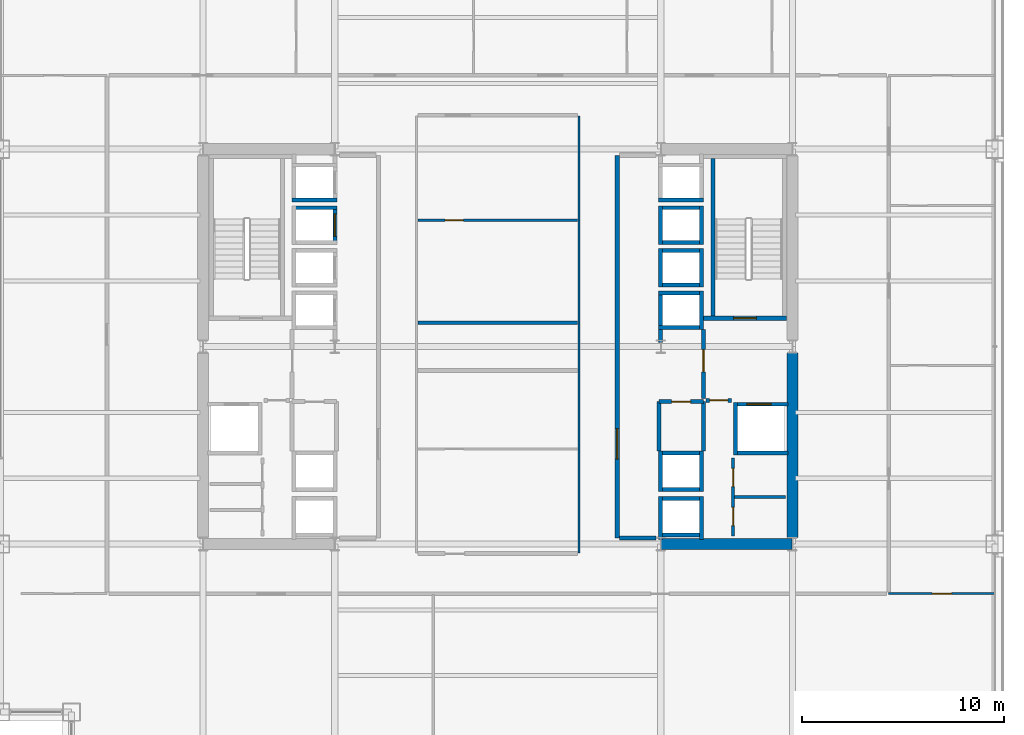
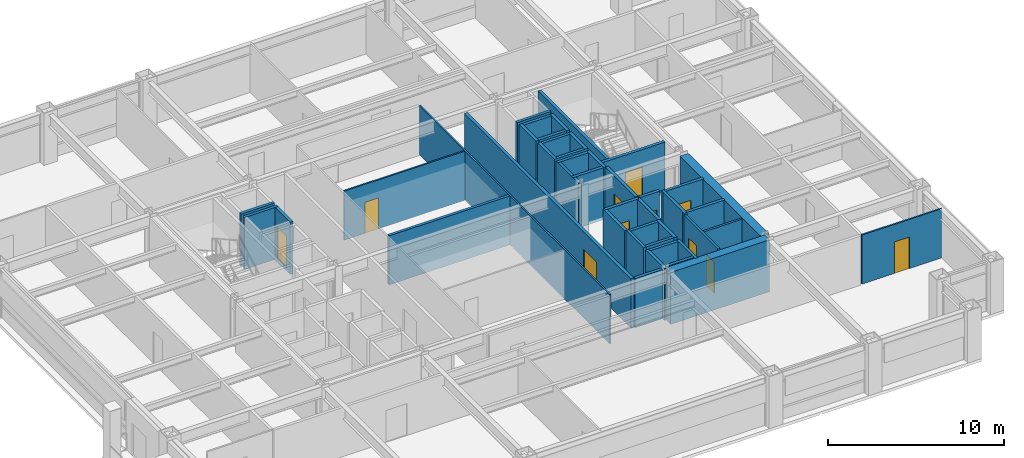
# One storey, part 24 of 28: 44 walls, 11 doors, 11 openings.
"""IFC4 building model written with IfcOpenShell, lengths in metres."""

import ifcopenshell
import ifcopenshell.guid

model = None  # the IFC model being written
_history = None  # IfcOwnerHistory: only IFC2X3 demands one
_inside = {}  # id of a spatial element -> (the spatial element, [elements in it])
_under = {}  # id of a project, library or spatial element -> (it, [spatial elements below it])
_declared = {}  # id of a project -> (the project, [libraries it declares])
_typed = {}  # id of a type object -> (the type object, [elements of that type])
_made_of = {}  # id of a material, layer set ... -> (it, [elements and type objects made of it])


def new_model(schema):
    """Start an empty IFC model of exactly this schema.

    Asked for "IFC4X3", IfcOpenShell would pick the latest addendum, in which some entities
    have other attributes; the version numbers below select the first issue.
    IFC2X3 requires an IfcOwnerHistory on every rooted entity: one is made here for all.
    """
    global model, _history
    if schema == "IFC4X3":
        model = ifcopenshell.file(schema_version=(4, 3, 0, 0))
    else:
        model = ifcopenshell.file(schema=schema)
    _inside.clear()
    _under.clear()
    _declared.clear()
    _typed.clear()
    _made_of.clear()
    _history = None
    if model.schema == "IFC2X3":
        org = make("IfcOrganization", Name="unknown")
        user = make(
            "IfcPersonAndOrganization",
            ThePerson=make("IfcPerson", FamilyName="unknown"),
            TheOrganization=org,
        )
        app = make(
            "IfcApplication",
            ApplicationDeveloper=org,
            Version="unknown",
            ApplicationFullName="unknown",
            ApplicationIdentifier="unknown",
        )
        _history = make(
            "IfcOwnerHistory",
            OwningUser=user,
            OwningApplication=app,
            ChangeAction="ADDED",
            CreationDate=0,
        )
    return model


def make(cls, **values):
    """One entity of the class cls with the attributes given. An attribute that is None is left unset."""
    return model.create_entity(
        cls, **{name: value for name, value in values.items() if value is not None}
    )


def rooted(cls, **values):
    """An entity with a GlobalId (a new one), such as an element, a storey or a relation."""
    return make(cls, GlobalId=ifcopenshell.guid.new(), OwnerHistory=_history, **values)


def si_unit(unit_type, name, prefix=None):
    """IfcSIUnit, for example si_unit("LENGTHUNIT", "METRE", prefix="MILLI")."""
    return make("IfcSIUnit", UnitType=unit_type, Prefix=prefix, Name=name)


def assignment(units):
    """IfcUnitAssignment: the units of a project."""
    return None if units is None else make("IfcUnitAssignment", Units=units)


def point(xyz):
    """IfcCartesianPoint."""
    return None if xyz is None else make("IfcCartesianPoint", Coordinates=xyz)


def direction(xyz):
    """IfcDirection."""
    return None if xyz is None else make("IfcDirection", DirectionRatios=xyz)


def frame(location, z_axis=None, x_axis=None):
    """IfcAxis2Placement3D, a coordinate frame: its origin and axes. An axis left out is left unset."""
    return make(
        "IfcAxis2Placement3D",
        Location=point(location),
        Axis=direction(z_axis),
        RefDirection=direction(x_axis),
    )


def frame_2d(location, x_axis=None):
    """IfcAxis2Placement2D, a coordinate frame in the plane: its origin and x axis."""
    return make(
        "IfcAxis2Placement2D", Location=point(location), RefDirection=direction(x_axis)
    )


def origin():
    """The frame at (0, 0, 0) with its axes left unset."""
    return frame((0.0, 0.0, 0.0))


def place(relative_to, where):
    """IfcLocalPlacement: puts the frame where relative to a parent placement (None: the world)."""
    return make(
        "IfcLocalPlacement", PlacementRelTo=relative_to, RelativePlacement=where
    )


def context(
    kind, dimensions, precision=None, world=None, true_north=None, identifier=None
):
    """IfcGeometricRepresentationContext, for example the 3D "Model" context."""
    return make(
        "IfcGeometricRepresentationContext",
        ContextIdentifier=identifier,
        ContextType=kind,
        CoordinateSpaceDimension=dimensions,
        Precision=precision,
        WorldCoordinateSystem=world,
        TrueNorth=true_north,
    )


def subcontext(parent, identifier, kind, view, scale=None):
    """IfcGeometricRepresentationSubContext, for example "Body" below "Model"."""
    return make(
        "IfcGeometricRepresentationSubContext",
        ContextIdentifier=identifier,
        ContextType=kind,
        ParentContext=parent,
        TargetScale=scale,
        TargetView=view,
    )


def project(units=None, contexts=None):
    """IfcProject with its units and contexts."""
    return rooted(
        "IfcProject",
        Name="project",
        RepresentationContexts=contexts,
        UnitsInContext=assignment(units),
    )


def spatial(cls, under=None, at=None, **own):
    """A site, building, storey or space (cls), placed at a placement, below another one or the project."""
    s = rooted(cls, ObjectPlacement=at, **own)
    if under is not None:
        _under.setdefault(under.id(), (under, []))[1].append(s)
    return s


def profile(cls, at=None, kind="AREA", **sizes):
    """A parametric profile (cls). Its sizes go by their IFC names, for example OverallWidth=200.0."""
    return make(cls, ProfileType=kind, Position=at, **sizes)


def rectangle(**sizes):
    """IfcRectangleProfileDef."""
    return profile("IfcRectangleProfileDef", **sizes)


def extrude(swept, where, along, depth):
    """IfcExtrudedAreaSolid: the profile swept, set in the frame where, extruded along a direction by depth."""
    return make(
        "IfcExtrudedAreaSolid",
        SweptArea=swept,
        Position=where,
        ExtrudedDirection=direction(along),
        Depth=depth,
    )


def shape(context_of_items, identifier, shape_type, items):
    """IfcShapeRepresentation: the items that make up one representation, for example the "Body"."""
    return make(
        "IfcShapeRepresentation",
        ContextOfItems=context_of_items,
        RepresentationIdentifier=identifier,
        RepresentationType=shape_type,
        Items=items,
    )


def material(Name=None, Category=None):
    """IfcMaterial."""
    return make("IfcMaterial", Name=Name, Category=Category)


def layer(
    of_material, thickness, ventilated=None, Name=None, Category=None, Priority=None
):
    """IfcMaterialLayer: one layer of a wall or slab, of a material (None: an air gap)."""
    return make(
        "IfcMaterialLayer",
        Material=of_material,
        LayerThickness=thickness,
        IsVentilated=ventilated,
        Name=Name,
        Category=Category,
        Priority=Priority,
    )


def layer_set(layers, Name=None):
    """IfcMaterialLayerSet."""
    return make("IfcMaterialLayerSet", MaterialLayers=layers, LayerSetName=Name)


def made_of(thing, what):
    """Note that an element or type object is made of a material, layer set ...; save() writes the relation."""
    if what is not None:
        _made_of.setdefault(what.id(), (what, []))[1].append(thing)
    return thing


def type_object(cls, material=None, **own):
    """A type object (cls), such as IfcWallType, which elements share."""
    return made_of(rooted(cls, **own), material)


def element(
    cls,
    number,
    at=None,
    inside=None,
    cuts=None,
    type_object=None,
    material=None,
    context=None,
    identifier="Body",
    shape_type=None,
    held_by="IfcProductDefinitionShape",
    body=None,
    shapes=None,
    **own,
):
    """One element of the class cls, such as IfcWall. Its Tag is "e" and its number.

    at: its placement. inside: the storey or other place that contains it. cuts: it is an
    opening in that element (IfcRelVoidsElement). A single representation is given by context,
    identifier, shape_type and body (its items); several are given by shapes. held_by: the class
    of the entity that holds the representations. save() writes the other relations.
    """
    e = rooted(cls, Tag="e%d" % number, ObjectPlacement=at, **own)
    if body is not None:
        shapes = [shape(context, identifier, shape_type, body)]
    if shapes is not None:
        e.Representation = make(held_by, Representations=shapes)
    if inside is not None:
        _inside.setdefault(inside.id(), (inside, []))[1].append(e)
    if cuts is not None:
        rooted(
            "IfcRelVoidsElement", RelatingBuildingElement=cuts, RelatedOpeningElement=e
        )
    if type_object is not None:
        _typed.setdefault(type_object.id(), (type_object, []))[1].append(e)
    return made_of(e, material)


def fill(opening, filler):
    """IfcRelFillsElement: the door or window that sits in an opening."""
    return rooted(
        "IfcRelFillsElement",
        RelatingOpeningElement=opening,
        RelatedBuildingElement=filler,
    )


def aggregate(whole, parts):
    """IfcRelAggregates: a whole, such as a stair, and the parts it consists of."""
    return rooted("IfcRelAggregates", RelatingObject=whole, RelatedObjects=parts)


def save(model, path):
    """Write the relations noted so far, then the file.

    IfcRelAggregates (storeys below a building ...), IfcRelContainedInSpatialStructure (elements
    in a storey), IfcRelDefinesByType, IfcRelAssociatesMaterial and IfcRelDeclares: one each for
    every whole, place, type object, material and project.
    """
    for whole, parts in _under.values():
        aggregate(whole, parts)
    for where, things in _inside.values():
        rooted(
            "IfcRelContainedInSpatialStructure",
            RelatedElements=things,
            RelatingStructure=where,
        )
    for kind, things in _typed.values():
        rooted("IfcRelDefinesByType", RelatedObjects=things, RelatingType=kind)
    for what, things in _made_of.values():
        rooted("IfcRelAssociatesMaterial", RelatedObjects=things, RelatingMaterial=what)
    for by, libraries in _declared.values():
        rooted("IfcRelDeclares", RelatingContext=by, RelatedDefinitions=libraries)
    model.write(path)


model = new_model("IFC4")

# Units and contexts
model_context = context("Model", 3, precision=1e-05, world=origin(), true_north=direction((0.0, 1.0)))
body_context = subcontext(model_context, "Body", "Model", "MODEL_VIEW")
ifc_project = project(units=[si_unit("LENGTHUNIT", "METRE"), si_unit("AREAUNIT", "SQUARE_METRE"), si_unit("VOLUMEUNIT", "CUBIC_METRE"), si_unit("PLANEANGLEUNIT", "RADIAN"), si_unit("MASSUNIT", "GRAM", prefix="KILO")], contexts=[model_context])

# Site, building, storey
site_placement = place(None, origin())
site = spatial("IfcSite", under=ifc_project, at=site_placement, CompositionType="ELEMENT")
building_placement = place(site_placement, origin())
building = spatial("IfcBuilding", under=site, at=building_placement, Name="Brelmoor Portico Tower", CompositionType="ELEMENT")
storey_placement = place(building_placement, frame((0.0, 0.0, 70.800048828125)))
storey = spatial("IfcBuildingStorey", under=building, at=storey_placement, Name="L18", CompositionType="ELEMENT", Elevation=70.800048828125)

# Walls
ifc_material_1 = material(Name="Concrete C60", Category="concrete")
ifc_layer_1 = layer(ifc_material_1, 0.550048828125)
ifc_layer_set_1 = layer_set([ifc_layer_1], Name="Concrete C60")
wall_type_1 = type_object("IfcWallType", Name="WL-CORE-550", PredefinedType="SHEAR", material=ifc_layer_set_1)
wall_1_placement = place(storey_placement, frame((8.070068359375, -9.75, -0.199951171875), z_axis=(0.0, 0.0, 1.0), x_axis=(1.0, 0.0, 0.0)))
element("IfcWall", 1, at=wall_1_placement, inside=storey, type_object=wall_type_1, Name="L18 EC South Shear Wall", PredefinedType="SHEAR", context=body_context, shape_type="SweptSolid", body=[
    extrude(rectangle(XDim=6.4599609375, YDim=0.550048828125, at=frame_2d((3.22998046875, 0.0))), origin(), (0.0, 0.0, 1.0), 3.599853515625),
])
wall_2_placement = place(storey_placement, frame((14.550048828125, -9.425048828125, -0.199951171875), z_axis=(0.0, 0.0, 1.0), x_axis=(0.0, 1.0, 0.0)))
element("IfcWall", 2, at=wall_2_placement, inside=storey, type_object=wall_type_1, Name="L18 EC Outer South Shear Wall", PredefinedType="SHEAR", context=body_context, shape_type="SweptSolid", body=[
    extrude(rectangle(XDim=9.10009765625, YDim=0.550048828125, at=frame_2d((4.550048828125, 0.0))), origin(), (0.0, 0.0, 1.0), 3.599853515625),
])
ifc_material_2 = material(Name="Demountable Glazed Office Partition", Category="aluminium")
ifc_layer_2 = layer(ifc_material_2, 0.10009765625)
ifc_layer_set_2 = layer_set([ifc_layer_2], Name="Demountable Glazed Office Partition")
wall_type_2 = type_object("IfcWallType", Name="WL-PART-100", PredefinedType="PARTITIONING", material=ifc_layer_set_2)
wall_3_placement = place(storey_placement, frame((4.02001953125, -10.199951171875, 0.0), z_axis=(0.0, 0.0, 1.0), x_axis=(0.0, 1.0, 0.0)))
element("IfcWall", 3, at=wall_3_placement, inside=storey, type_object=wall_type_2, Name="L18 Central Suite East Wall", PredefinedType="PARTITIONING", context=body_context, shape_type="SweptSolid", body=[
    extrude(rectangle(XDim=21.599853515625, YDim=0.10009765625, at=frame_2d((10.7998046875, 0.0))), origin(), (0.0, 0.0, 1.0), 3.39990234375),
])

# Wall, opening, door
wall_4_placement = place(storey_placement, frame((-3.949951171875, 6.239990234375, 0.0), z_axis=(0.0, 0.0, 1.0), x_axis=(1.0, 0.0, 0.0)))
wall_4 = element("IfcWall", 4, at=wall_4_placement, inside=storey, type_object=wall_type_2, Name="L18 Central Archive Divider", PredefinedType="PARTITIONING", context=body_context, shape_type="SweptSolid", body=[
    extrude(rectangle(XDim=7.89990234375, YDim=0.10009765625, at=frame_2d((3.949951171875, 0.0))), origin(), (0.0, 0.0, 1.0), 3.39990234375),
])
opening_1_placement = place(wall_4_placement, frame((1.35009765625, 0.0, 0.0)))
opening_1 = element("IfcOpeningElement", 5, at=opening_1_placement, cuts=wall_4, Name="Opening D-IN1", PredefinedType="OPENING", context=body_context, shape_type="SweptSolid", body=[
    extrude(rectangle(XDim=0.89990234375, YDim=2.14990234375, at=frame_2d((0.449951171875, 1.074951171875))), frame((0.0, 0.06005859375, 0.0), z_axis=(0.0, -1.0, 0.0), x_axis=(1.0, 0.0, 0.0)), (0.0, 0.0, 1.0), 0.1201171875),
])
ifc_material_3 = material(Name="Lacquered Timber Suite Door", Category="wood")
door_type_1 = type_object("IfcDoorType", Name="DR-INT-900", OperationType="NOTDEFINED", PredefinedType="DOOR", material=ifc_material_3)
door_1_placement = place(opening_1_placement, origin())
door_1 = element("IfcDoor", 6, at=door_1_placement, inside=storey, type_object=door_type_1, Name="D-0802 L18 Central File Room Door", OperationType="SINGLE_SWING_LEFT", OverallHeight=2.14990234375, OverallWidth=0.89990234375, PredefinedType="DOOR", context=body_context, shape_type="SweptSolid", body=[
    extrude(rectangle(XDim=0.89990234375, YDim=2.14990234375, at=frame_2d((0.449951171875, 1.074951171875))), frame((0.0, 0.02490234375, 0.0), z_axis=(0.0, -1.0, 0.0), x_axis=(1.0, 0.0, 0.0)), (0.0, 0.0, 1.0), 0.050048828125),
])
fill(opening_1, door_1)

wall_5_placement = place(storey_placement, frame((19.300048828125, -12.199951171875, 0.0), z_axis=(0.0, 0.0, 1.0), x_axis=(1.0, 0.0, 0.0)))
wall_5 = element("IfcWall", 7, at=wall_5_placement, inside=storey, type_object=wall_type_2, Name="L18 South Outer Closure ER", PredefinedType="PARTITIONING", context=body_context, shape_type="SweptSolid", body=[
    extrude(rectangle(XDim=5.260009765625, YDim=0.10009765625, at=frame_2d((2.6298828125, 0.0))), origin(), (0.0, 0.0, 1.0), 3.39990234375),
])
opening_2_placement = place(wall_5_placement, frame((2.14990234375, 0.0, 0.0)))
opening_2 = element("IfcOpeningElement", 8, at=opening_2_placement, cuts=wall_5, Name="Opening D-IN2", PredefinedType="OPENING", context=body_context, shape_type="SweptSolid", body=[
    extrude(rectangle(XDim=0.9599609375, YDim=2.179931640625, at=frame_2d((0.47998046875, 1.08984375))), frame((0.0, 0.06005859375, 0.0), z_axis=(0.0, -1.0, 0.0), x_axis=(1.0, 0.0, 0.0)), (0.0, 0.0, 1.0), 0.1201171875),
])
door_type_2 = type_object("IfcDoorType", Name="DR-INT-950", OperationType="NOTDEFINED", PredefinedType="DOOR", material=ifc_material_3)
door_2_placement = place(opening_2_placement, origin())
door_2 = element("IfcDoor", 9, at=door_2_placement, inside=storey, type_object=door_type_2, Name="D-0834 L18 ER South Corner Suite Door", OperationType="SINGLE_SWING_RIGHT", OverallHeight=2.179931640625, OverallWidth=0.9599609375, PredefinedType="DOOR", context=body_context, shape_type="SweptSolid", body=[
    extrude(rectangle(XDim=0.9599609375, YDim=2.179931640625, at=frame_2d((0.47998046875, 1.08984375))), frame((0.0, 0.02490234375, 0.0), z_axis=(0.0, -1.0, 0.0), x_axis=(1.0, 0.0, 0.0)), (0.0, 0.0, 1.0), 0.050048828125),
])
fill(opening_2, door_2)

# Wall
ifc_material_4 = material(Name="Insulated Stud Suite Partition", Category="gypsum")
ifc_layer_3 = layer(ifc_material_4, 0.139892578125)
ifc_layer_set_3 = layer_set([ifc_layer_3], Name="Insulated Stud Suite Partition")
wall_type_3 = type_object("IfcWallType", Name="WL-PART-140", PredefinedType="PARTITIONING", material=ifc_layer_set_3)
wall_6_placement = place(storey_placement, frame((11.699951171875, -7.425048828125, 0.0), z_axis=(0.0, 0.0, 1.0), x_axis=(1.0, 0.0, 0.0)))
element("IfcWall", 10, at=wall_6_placement, inside=storey, type_object=wall_type_3, Name="L18 E Core WC Divider 1", PredefinedType="PARTITIONING", context=body_context, shape_type="SweptSolid", body=[
    extrude(rectangle(XDim=2.5, YDim=0.139892578125, at=frame_2d((1.25, 0.0))), origin(), (0.0, 0.0, 1.0), 3.39990234375),
])

# Wall, openings, doors
ifc_material_5 = material(Name="Twin-Frame Acoustic Partition", Category="gypsum")
ifc_layer_4 = layer(ifc_material_5, 0.159912109375)
ifc_layer_set_4 = layer_set([ifc_layer_4], Name="Twin-Frame Acoustic Partition")
wall_type_4 = type_object("IfcWallType", Name="WL-PART-160", PredefinedType="PARTITIONING", material=ifc_layer_set_4)
wall_7_placement = place(storey_placement, frame((11.6201171875, -9.35009765625, 0.0), z_axis=(0.0, 0.0, 1.0), x_axis=(0.0, 1.0, 0.0)))
wall_7 = element("IfcWall", 11, at=wall_7_placement, inside=storey, type_object=wall_type_4, Name="L18 E Core Service Front Wall", PredefinedType="PARTITIONING", context=body_context, shape_type="SweptSolid", body=[
    extrude(rectangle(XDim=3.85009765625, YDim=0.159912109375, at=frame_2d((1.925048828125, 0.0))), origin(), (0.0, 0.0, 1.0), 3.39990234375),
])
opening_3_placement = place(wall_7_placement, frame((0.512451171875, 0.0, 0.0)))
opening_3 = element("IfcOpeningElement", 12, at=opening_3_placement, cuts=wall_7, Name="Opening D-IN1", PredefinedType="OPENING", context=body_context, shape_type="SweptSolid", body=[
    extrude(rectangle(XDim=0.89990234375, YDim=2.14990234375, at=frame_2d((0.449951171875, 1.074951171875))), frame((0.0, 0.08984375, 0.0), z_axis=(0.0, -1.0, 0.0), x_axis=(1.0, 0.0, 0.0)), (0.0, 0.0, 1.0), 0.179931640625),
])
opening_4_placement = place(wall_7_placement, frame((2.4375, 0.0, 0.0)))
opening_4 = element("IfcOpeningElement", 13, at=opening_4_placement, cuts=wall_7, Name="Opening D-IN1", PredefinedType="OPENING", context=body_context, shape_type="SweptSolid", body=[
    extrude(rectangle(XDim=0.89990234375, YDim=2.14990234375, at=frame_2d((0.449951171875, 1.074951171875))), frame((0.0, 0.08984375, 0.0), z_axis=(0.0, -1.0, 0.0), x_axis=(1.0, 0.0, 0.0)), (0.0, 0.0, 1.0), 0.179931640625),
])
door_3_placement = place(opening_3_placement, origin())
door_3 = element("IfcDoor", 14, at=door_3_placement, inside=storey, type_object=door_type_1, Name="D-0805 L18 E Male WC Door", OperationType="SINGLE_SWING_LEFT", OverallHeight=2.14990234375, OverallWidth=0.89990234375, PredefinedType="DOOR", context=body_context, shape_type="SweptSolid", body=[
    extrude(rectangle(XDim=0.89990234375, YDim=2.14990234375, at=frame_2d((0.449951171875, 1.074951171875))), frame((0.0, 0.02490234375, 0.0), z_axis=(0.0, -1.0, 0.0), x_axis=(1.0, 0.0, 0.0)), (0.0, 0.0, 1.0), 0.050048828125),
])
fill(opening_3, door_3)
door_4_placement = place(opening_4_placement, origin())
door_4 = element("IfcDoor", 15, at=door_4_placement, inside=storey, type_object=door_type_1, Name="D-0806 L18 E Female WC Door", OperationType="SINGLE_SWING_RIGHT", OverallHeight=2.14990234375, OverallWidth=0.89990234375, PredefinedType="DOOR", context=body_context, shape_type="SweptSolid", body=[
    extrude(rectangle(XDim=0.89990234375, YDim=2.14990234375, at=frame_2d((0.449951171875, 1.074951171875))), frame((0.0, 0.02490234375, 0.0), z_axis=(0.0, -1.0, 0.0), x_axis=(1.0, 0.0, 0.0)), (0.0, 0.0, 1.0), 0.050048828125),
])
fill(opening_4, door_4)

# Wall
ifc_material_6 = material(Name="Acoustic Corridor Fire Partition", Category="gypsum")
ifc_layer_5 = layer(ifc_material_6, 0.179931640625)
ifc_layer_set_5 = layer_set([ifc_layer_5], Name="Acoustic Corridor Fire Partition")
wall_type_5 = type_object("IfcWallType", Name="WL-PART-180", PredefinedType="PARTITIONING", material=ifc_layer_set_5)
wall_8_placement = place(storey_placement, frame((-3.949951171875, 1.179931640625, 0.0), z_axis=(0.0, 0.0, 1.0), x_axis=(1.0, 0.0, 0.0)))
element("IfcWall", 16, at=wall_8_placement, inside=storey, type_object=wall_type_5, Name="L18 Central Meeting South Wall", PredefinedType="PARTITIONING", context=body_context, shape_type="SweptSolid", body=[
    extrude(rectangle(XDim=7.89990234375, YDim=0.179931640625, at=frame_2d((3.949951171875, 0.0))), origin(), (0.0, 0.0, 1.0), 3.39990234375),
])

# Wall, opening, door
ifc_material_7 = material(Name="Double-Stud Gypsum Fire Partition", Category="gypsum")
ifc_layer_6 = layer(ifc_material_7, 0.199951171875)
ifc_layer_set_6 = layer_set([ifc_layer_6], Name="Double-Stud Gypsum Fire Partition")
wall_type_6 = type_object("IfcWallType", Name="WL-PART-200", PredefinedType="PARTITIONING", material=ifc_layer_set_6)
wall_9_placement = place(storey_placement, frame((5.89990234375, -9.449951171875, 0.0), z_axis=(0.0, 0.0, 1.0), x_axis=(0.0, 1.0, 0.0)))
wall_9 = element("IfcWall", 17, at=wall_9_placement, inside=storey, type_object=wall_type_6, Name="L18 E Core Lobby Compartment Wall", PredefinedType="PARTITIONING", context=body_context, shape_type="SweptSolid", body=[
    extrude(rectangle(XDim=18.89990234375, YDim=0.199951171875, at=frame_2d((9.449951171875, 0.0))), origin(), (0.0, 0.0, 1.0), 3.39990234375),
])
opening_5_placement = place(wall_9_placement, frame((3.89990234375, 0.0, 0.0)))
opening_5 = element("IfcOpeningElement", 18, at=opening_5_placement, cuts=wall_9, Name="Opening D-LB1", PredefinedType="OPENING", context=body_context, shape_type="SweptSolid", body=[
    extrude(rectangle(XDim=1.5, YDim=2.199951171875, at=frame_2d((0.75, 1.10009765625))), frame((0.0, 0.10986328125, 0.0), z_axis=(0.0, -1.0, 0.0), x_axis=(1.0, 0.0, 0.0)), (0.0, 0.0, 1.0), 0.219970703125),
])
ifc_material_8 = material(Name="Double-Leaf Glazed Steel Fire Door", Category="steel")
door_type_3 = type_object("IfcDoorType", Name="DR-LOBBY-1500", OperationType="NOTDEFINED", PredefinedType="DOOR", material=ifc_material_8)
door_5_placement = place(opening_5_placement, origin())
door_5 = element("IfcDoor", 19, at=door_5_placement, inside=storey, type_object=door_type_3, Name="D-0816 L18 E Lift Lobby Main Door", OperationType="DOUBLE_DOOR_SINGLE_SWING", OverallHeight=2.199951171875, OverallWidth=1.5, PredefinedType="DOOR", context=body_context, shape_type="SweptSolid", body=[
    extrude(rectangle(XDim=1.5, YDim=2.199951171875, at=frame_2d((0.75, 1.10009765625))), frame((0.0, 0.02490234375, 0.0), z_axis=(0.0, -1.0, 0.0), x_axis=(1.0, 0.0, 0.0)), (0.0, 0.0, 1.0), 0.050048828125),
])
fill(opening_5, door_5)

# Wall
wall_10_placement = place(storey_placement, frame((6.02001953125, -9.449951171875, 0.0), z_axis=(0.0, 0.0, 1.0), x_axis=(1.0, 0.0, 0.0)))
element("IfcWall", 20, at=wall_10_placement, inside=storey, type_object=wall_type_6, Name="L18 E Lift Lobby South End Wall", PredefinedType="PARTITIONING", context=body_context, shape_type="SweptSolid", body=[
    extrude(rectangle(XDim=1.800048828125, YDim=0.199951171875, at=frame_2d((0.89990234375, 0.0))), origin(), (0.0, 0.0, 1.0), 3.39990234375),
])

# Wall, opening, door
wall_11_placement = place(storey_placement, frame((10.159912109375, -2.550048828125, 0.0), z_axis=(0.0, 0.0, 1.0), x_axis=(0.0, 1.0, 0.0)))
wall_11 = element("IfcWall", 21, at=wall_11_placement, inside=storey, type_object=wall_type_6, Name="L18 E Firefighting Lobby Wall", PredefinedType="PARTITIONING", context=body_context, shape_type="SweptSolid", body=[
    extrude(rectangle(XDim=3.400146484375, YDim=0.199951171875, at=frame_2d((1.7001953125, 0.0))), origin(), (0.0, 0.0, 1.0), 3.39990234375),
])
opening_6_placement = place(wall_11_placement, frame((1.300048828125, 0.0, 0.0)))
opening_6 = element("IfcOpeningElement", 22, at=opening_6_placement, cuts=wall_11, Name="Opening D-FR1", PredefinedType="OPENING", context=body_context, shape_type="SweptSolid", body=[
    extrude(rectangle(XDim=1.10009765625, YDim=2.14990234375, at=frame_2d((0.550048828125, 1.074951171875))), frame((0.0, 0.10986328125, 0.0), z_axis=(0.0, -1.0, 0.0), x_axis=(1.0, 0.0, 0.0)), (0.0, 0.0, 1.0), 0.219970703125),
])
ifc_material_9 = material(Name="Painted Galvanised Steel Fire Door", Category="steel")
door_type_4 = type_object("IfcDoorType", Name="DR-FIRE-1100", OperationType="NOTDEFINED", PredefinedType="DOOR", material=ifc_material_9)
door_6_placement = place(opening_6_placement, origin())
door_6 = element("IfcDoor", 23, at=door_6_placement, inside=storey, type_object=door_type_4, Name="D-0814 L18 E Firefighting Lobby Door", OperationType="SINGLE_SWING_RIGHT", OverallHeight=2.14990234375, OverallWidth=1.10009765625, PredefinedType="DOOR", context=body_context, shape_type="SweptSolid", body=[
    extrude(rectangle(XDim=1.10009765625, YDim=2.14990234375, at=frame_2d((0.550048828125, 1.074951171875))), frame((0.0, 0.02490234375, 0.0), z_axis=(0.0, -1.0, 0.0), x_axis=(1.0, 0.0, 0.0)), (0.0, 0.0, 1.0), 0.050048828125),
])
fill(opening_6, door_6)

wall_12_placement = place(storey_placement, frame((10.280029296875, -2.64990234375, 0.0), z_axis=(0.0, 0.0, 1.0), x_axis=(1.0, 0.0, 0.0)))
wall_12 = element("IfcWall", 24, at=wall_12_placement, inside=storey, type_object=wall_type_6, Name="L18 E Firefighting Lobby South Wall", PredefinedType="PARTITIONING", context=body_context, shape_type="SweptSolid", body=[
    extrude(rectangle(XDim=1.27001953125, YDim=0.199951171875, at=frame_2d((0.635009765625, 0.0))), origin(), (0.0, 0.0, 1.0), 3.39990234375),
])
opening_7_placement = place(wall_12_placement, frame((0.18505859375, 0.0, 0.0)))
opening_7 = element("IfcOpeningElement", 25, at=opening_7_placement, cuts=wall_12, Name="Opening D-IN1", PredefinedType="OPENING", context=body_context, shape_type="SweptSolid", body=[
    extrude(rectangle(XDim=0.89990234375, YDim=2.14990234375, at=frame_2d((0.449951171875, 1.074951171875))), frame((0.0, 0.10986328125, 0.0), z_axis=(0.0, -1.0, 0.0), x_axis=(1.0, 0.0, 0.0)), (0.0, 0.0, 1.0), 0.219970703125),
])
door_7_placement = place(opening_7_placement, origin())
door_7 = element("IfcDoor", 26, at=door_7_placement, inside=storey, type_object=door_type_1, Name="D-0807 L18 E Core Service Vestibule Door", OperationType="SINGLE_SWING_LEFT", OverallHeight=2.14990234375, OverallWidth=0.89990234375, PredefinedType="DOOR", context=body_context, shape_type="SweptSolid", body=[
    extrude(rectangle(XDim=0.89990234375, YDim=2.14990234375, at=frame_2d((0.449951171875, 1.074951171875))), frame((0.0, 0.02490234375, 0.0), z_axis=(0.0, -1.0, 0.0), x_axis=(1.0, 0.0, 0.0)), (0.0, 0.0, 1.0), 0.050048828125),
])
fill(opening_7, door_7)

wall_13_placement = place(storey_placement, frame((7.9599609375, -2.719970703125, 0.0), z_axis=(0.0, 0.0, 1.0), x_axis=(1.0, 0.0, 0.0)))
wall_13 = element("IfcWall", 27, at=wall_13_placement, inside=storey, type_object=wall_type_6, Name="L18 E Electrical Switchgear Closet Wall", PredefinedType="PARTITIONING", context=body_context, shape_type="SweptSolid", body=[
    extrude(rectangle(XDim=2.199951171875, YDim=0.199951171875, at=frame_2d((1.10009765625, 0.0))), origin(), (0.0, 0.0, 1.0), 3.39990234375),
])
opening_8_placement = place(wall_13_placement, frame((0.6201171875, 0.0, 0.0)))
opening_8 = element("IfcOpeningElement", 28, at=opening_8_placement, cuts=wall_13, Name="Opening D-FR4", PredefinedType="OPENING", context=body_context, shape_type="SweptSolid", body=[
    extrude(rectangle(XDim=0.949951171875, YDim=2.10009765625, at=frame_2d((0.47509765625, 1.050048828125))), frame((0.0, 0.10986328125, 0.0), z_axis=(0.0, -1.0, 0.0), x_axis=(1.0, 0.0, 0.0)), (0.0, 0.0, 1.0), 0.219970703125),
])
ifc_material_10 = material(Name="Painted Galvanised Steel Riser Door", Category="steel")
door_type_5 = type_object("IfcDoorType", Name="DR-FIRE-950", OperationType="NOTDEFINED", PredefinedType="DOOR", material=ifc_material_10)
door_8_placement = place(opening_8_placement, origin())
door_8 = element("IfcDoor", 29, at=door_8_placement, inside=storey, type_object=door_type_5, Name="D-0812 L18 E Electrical Switchgear Closet Door", OperationType="SINGLE_SWING_RIGHT", OverallHeight=2.10009765625, OverallWidth=0.949951171875, PredefinedType="DOOR", context=body_context, shape_type="SweptSolid", body=[
    extrude(rectangle(XDim=0.949951171875, YDim=2.10009765625, at=frame_2d((0.47509765625, 1.050048828125))), frame((0.0, 0.02490234375, 0.0), z_axis=(0.0, -1.0, 0.0), x_axis=(1.0, 0.0, 0.0)), (0.0, 0.0, 1.0), 0.050048828125),
])
fill(opening_8, door_8)

# Walls
for number, where, z_axis, x_axis, name in (
    (30, (7.9599609375, -5.159912109375, 0.0), (0.0, 0.0, 1.0), (0.0, 1.0, 0.0), "L18 E Electrical Switchgear Closet Inner Wall"),
    (31, (10.159912109375, -5.159912109375, 0.0), (0.0, 0.0, 1.0), (0.0, 1.0, 0.0), "L18 E Electrical Switchgear Closet Outer Wall"),
):
    element("IfcWall", number, at=place(storey_placement, frame(where, z_axis=z_axis, x_axis=x_axis)), inside=storey, type_object=wall_type_6, Name=name, PredefinedType="PARTITIONING", context=body_context, shape_type="SweptSolid", body=[
        extrude(rectangle(XDim=2.43994140625, YDim=0.199951171875, at=frame_2d((1.219970703125, 0.0))), origin(), (0.0, 0.0, 1.0), 3.39990234375),
    ])

# Wall, opening, door
ifc_material_11 = material(Name="Precast Concrete C40", Category="concrete")
ifc_layer_7 = layer(ifc_material_11, 0.18994140625)
ifc_layer_set_7 = layer_set([ifc_layer_7], Name="Precast Concrete C40")
wall_type_7 = type_object("IfcWallType", Name="WL-SHAFT-180", PredefinedType="SOLIDWALL", material=ifc_layer_set_7)
wall_14_placement = place(storey_placement, frame((-8.044921875, 5.050048828125, -0.199951171875), z_axis=(0.0, 0.0, 1.0), x_axis=(0.0, 1.0, 0.0)))
wall_14 = element("IfcWall", 32, at=wall_14_placement, inside=storey, type_object=wall_type_7, Name="L18 Lift PL3 Hoistway Front Wall", PredefinedType="SOLIDWALL", context=body_context, shape_type="SweptSolid", body=[
    extrude(rectangle(XDim=1.89990234375, YDim=0.18994140625, at=frame_2d((0.949951171875, 0.0))), origin(), (0.0, 0.0, 1.0), 3.599853515625),
])
opening_9_placement = place(wall_14_placement, frame((0.39990234375, 0.0, 0.199951171875)))
opening_9 = element("IfcOpeningElement", 33, at=opening_9_placement, cuts=wall_14, Name="Opening LD-01", PredefinedType="OPENING", context=body_context, shape_type="SweptSolid", body=[
    extrude(rectangle(XDim=1.10009765625, YDim=2.199951171875, at=frame_2d((0.550048828125, 1.10009765625))), frame((0.0, 0.10498046875, 0.0), z_axis=(0.0, -1.0, 0.0), x_axis=(1.0, 0.0, 0.0)), (0.0, 0.0, 1.0), 0.2099609375),
])
ifc_material_12 = material(Name="Brushed Stainless Steel Sliding Lift Door", Category="steel")
door_type_6 = type_object("IfcDoorType", Name="DR-LIFT-1100", OperationType="NOTDEFINED", PredefinedType="DOOR", material=ifc_material_12)
door_9_placement = place(opening_9_placement, origin())
door_9 = element("IfcDoor", 34, at=door_9_placement, inside=storey, type_object=door_type_6, Name="D-0848 L18 Lift PL3 Sliding Landing Door", OperationType="SLIDING_TO_LEFT", OverallHeight=2.199951171875, OverallWidth=1.10009765625, PredefinedType="DOOR", context=body_context, shape_type="SweptSolid", body=[
    extrude(rectangle(XDim=1.10009765625, YDim=2.199951171875, at=frame_2d((0.550048828125, 1.10009765625))), frame((0.0, 0.02490234375, 0.0), z_axis=(0.0, -1.0, 0.0), x_axis=(1.0, 0.0, 0.0)), (0.0, 0.0, 1.0), 0.050048828125),
])
fill(opening_9, door_9)

# Walls
for number, where, z_axis, x_axis, name in (
    (35, (-10.14990234375, 6.85498046875, -0.199951171875), (0.0, 0.0, 1.0), (1.0, 0.0, 0.0), "L18 Lift PL3 Hoistway North Wall"),
    (36, (-10.14990234375, 7.2451171875, -0.199951171875), (0.0, 0.0, 1.0), (1.0, 0.0, 0.0), "L18 Lift PL4 Hoistway South Wall"),
):
    element("IfcWall", number, at=place(storey_placement, frame(where, z_axis=z_axis, x_axis=x_axis)), inside=storey, type_object=wall_type_7, Name=name, PredefinedType="SOLIDWALL", context=body_context, shape_type="SweptSolid", body=[
        extrude(rectangle(XDim=2.199951171875, YDim=0.18994140625, at=frame_2d((1.10009765625, 0.0))), origin(), (0.0, 0.0, 1.0), 3.599853515625),
    ])
wall_15_placement = place(storey_placement, frame((8.044921875, 0.2099609375, -0.199951171875), z_axis=(0.0, 0.0, 1.0), x_axis=(0.0, 1.0, 0.0)))
element("IfcWall", 37, at=wall_15_placement, inside=storey, type_object=wall_type_7, Name="L18 Lift PM1 Hoistway Front Wall", PredefinedType="SOLIDWALL", context=body_context, shape_type="SweptSolid", body=[
    extrude(rectangle(XDim=2.5400390625, YDim=0.18994140625, at=frame_2d((1.27001953125, 0.0))), origin(), (0.0, 0.0, 1.0), 3.599853515625),
])
wall_16_placement = place(storey_placement, frame((10.054931640625, 0.85009765625, -0.199951171875), z_axis=(0.0, 0.0, 1.0), x_axis=(0.0, 1.0, 0.0)))
element("IfcWall", 38, at=wall_16_placement, inside=storey, type_object=wall_type_7, Name="L18 Lift PM1 Hoistway Back Wall", PredefinedType="SOLIDWALL", context=body_context, shape_type="SweptSolid", body=[
    extrude(rectangle(XDim=1.89990234375, YDim=0.18994140625, at=frame_2d((0.949951171875, 0.0))), origin(), (0.0, 0.0, 1.0), 3.599853515625),
])
for number, where, z_axis, x_axis, name in (
    (39, (7.949951171875, 2.655029296875, -0.199951171875), (0.0, 0.0, 1.0), (1.0, 0.0, 0.0), "L18 Lift PM1 Hoistway North Wall"),
    (40, (7.949951171875, 0.945068359375, -0.199951171875), (0.0, 0.0, 1.0), (1.0, 0.0, 0.0), "L18 Lift PM1 Hoistway South Wall"),
):
    element("IfcWall", number, at=place(storey_placement, frame(where, z_axis=z_axis, x_axis=x_axis)), inside=storey, type_object=wall_type_7, Name=name, PredefinedType="SOLIDWALL", context=body_context, shape_type="SweptSolid", body=[
        extrude(rectangle(XDim=2.199951171875, YDim=0.18994140625, at=frame_2d((1.10009765625, 0.0))), origin(), (0.0, 0.0, 1.0), 3.599853515625),
    ])
for number, where, z_axis, x_axis, name in (
    (41, (8.044921875, 2.949951171875, -0.199951171875), (0.0, 0.0, 1.0), (0.0, 1.0, 0.0), "L18 Lift PM2 Hoistway Front Wall"),
    (42, (10.054931640625, 2.949951171875, -0.199951171875), (0.0, 0.0, 1.0), (0.0, 1.0, 0.0), "L18 Lift PM2 Hoistway Back Wall"),
):
    element("IfcWall", number, at=place(storey_placement, frame(where, z_axis=z_axis, x_axis=x_axis)), inside=storey, type_object=wall_type_7, Name=name, PredefinedType="SOLIDWALL", context=body_context, shape_type="SweptSolid", body=[
        extrude(rectangle(XDim=1.900146484375, YDim=0.18994140625, at=frame_2d((0.9501953125, 0.0))), origin(), (0.0, 0.0, 1.0), 3.599853515625),
    ])
for number, where, z_axis, x_axis, name in (
    (43, (7.949951171875, 4.7548828125, -0.199951171875), (0.0, 0.0, 1.0), (1.0, 0.0, 0.0), "L18 Lift PM2 Hoistway North Wall"),
    (44, (7.949951171875, 3.044921875, -0.199951171875), (0.0, 0.0, 1.0), (1.0, 0.0, 0.0), "L18 Lift PM2 Hoistway South Wall"),
):
    element("IfcWall", number, at=place(storey_placement, frame(where, z_axis=z_axis, x_axis=x_axis)), inside=storey, type_object=wall_type_7, Name=name, PredefinedType="SOLIDWALL", context=body_context, shape_type="SweptSolid", body=[
        extrude(rectangle(XDim=2.199951171875, YDim=0.18994140625, at=frame_2d((1.10009765625, 0.0))), origin(), (0.0, 0.0, 1.0), 3.599853515625),
    ])
for number, where, z_axis, x_axis, name in (
    (45, (8.044921875, 5.050048828125, -0.199951171875), (0.0, 0.0, 1.0), (0.0, 1.0, 0.0), "L18 Lift PM3 Hoistway Front Wall"),
    (46, (10.054931640625, 5.050048828125, -0.199951171875), (0.0, 0.0, 1.0), (0.0, 1.0, 0.0), "L18 Lift PM3 Hoistway Back Wall"),
):
    element("IfcWall", number, at=place(storey_placement, frame(where, z_axis=z_axis, x_axis=x_axis)), inside=storey, type_object=wall_type_7, Name=name, PredefinedType="SOLIDWALL", context=body_context, shape_type="SweptSolid", body=[
        extrude(rectangle(XDim=1.89990234375, YDim=0.18994140625, at=frame_2d((0.949951171875, 0.0))), origin(), (0.0, 0.0, 1.0), 3.599853515625),
    ])
for number, where, z_axis, x_axis, name in (
    (47, (7.949951171875, 6.85498046875, -0.199951171875), (0.0, 0.0, 1.0), (1.0, 0.0, 0.0), "L18 Lift PM3 Hoistway North Wall"),
    (48, (7.949951171875, 5.14501953125, -0.199951171875), (0.0, 0.0, 1.0), (1.0, 0.0, 0.0), "L18 Lift PM3 Hoistway South Wall"),
    (49, (7.949951171875, 7.2451171875, -0.199951171875), (0.0, 0.0, 1.0), (1.0, 0.0, 0.0), "L18 Lift PM4 Hoistway South Wall"),
):
    element("IfcWall", number, at=place(storey_placement, frame(where, z_axis=z_axis, x_axis=x_axis)), inside=storey, type_object=wall_type_7, Name=name, PredefinedType="SOLIDWALL", context=body_context, shape_type="SweptSolid", body=[
        extrude(rectangle(XDim=2.199951171875, YDim=0.18994140625, at=frame_2d((1.10009765625, 0.0))), origin(), (0.0, 0.0, 1.0), 3.599853515625),
    ])
for number, where, z_axis, x_axis, name in (
    (50, (8.044921875, -9.52001953125, -0.199951171875), (0.0, 0.0, 1.0), (0.0, 1.0, 0.0), "L18 Lift PH3 Hoistway Front Wall"),
    (51, (10.054931640625, -9.52001953125, -0.199951171875), (0.0, 0.0, 1.0), (0.0, 1.0, 0.0), "L18 Lift PH3 Hoistway Back Wall"),
):
    element("IfcWall", number, at=place(storey_placement, frame(where, z_axis=z_axis, x_axis=x_axis)), inside=storey, type_object=wall_type_7, Name=name, PredefinedType="SOLIDWALL", context=body_context, shape_type="SweptSolid", body=[
        extrude(rectangle(XDim=2.1201171875, YDim=0.18994140625, at=frame_2d((1.06005859375, 0.0))), origin(), (0.0, 0.0, 1.0), 3.599853515625),
    ])
for number, where, z_axis, x_axis, name in (
    (52, (7.949951171875, -7.4951171875, -0.199951171875), (0.0, 0.0, 1.0), (1.0, 0.0, 0.0), "L18 Lift PH3 Hoistway North Wall"),
    (53, (7.949951171875, -9.304931640625, -0.199951171875), (0.0, 0.0, 1.0), (1.0, 0.0, 0.0), "L18 Lift PH3 Hoistway South Wall"),
):
    element("IfcWall", number, at=place(storey_placement, frame(where, z_axis=z_axis, x_axis=x_axis)), inside=storey, type_object=wall_type_7, Name=name, PredefinedType="SOLIDWALL", context=body_context, shape_type="SweptSolid", body=[
        extrude(rectangle(XDim=2.199951171875, YDim=0.18994140625, at=frame_2d((1.10009765625, 0.0))), origin(), (0.0, 0.0, 1.0), 3.599853515625),
    ])
for number, where, z_axis, x_axis, name in (
    (54, (8.044921875, -7.14990234375, -0.199951171875), (0.0, 0.0, 1.0), (0.0, 1.0, 0.0), "L18 Lift PH4 Hoistway Front Wall"),
    (55, (10.054931640625, -7.14990234375, -0.199951171875), (0.0, 0.0, 1.0), (0.0, 1.0, 0.0), "L18 Lift PH4 Hoistway Back Wall"),
):
    element("IfcWall", number, at=place(storey_placement, frame(where, z_axis=z_axis, x_axis=x_axis)), inside=storey, type_object=wall_type_7, Name=name, PredefinedType="SOLIDWALL", context=body_context, shape_type="SweptSolid", body=[
        extrude(rectangle(XDim=2.0, YDim=0.18994140625, at=frame_2d((1.0, 0.0))), origin(), (0.0, 0.0, 1.0), 3.599853515625),
    ])
for number, where, z_axis, x_axis, name in (
    (56, (7.949951171875, -5.2451171875, -0.199951171875), (0.0, 0.0, 1.0), (1.0, 0.0, 0.0), "L18 Lift PH4 Hoistway North Wall"),
    (57, (7.949951171875, -7.054931640625, -0.199951171875), (0.0, 0.0, 1.0), (1.0, 0.0, 0.0), "L18 Lift PH4 Hoistway South Wall"),
):
    element("IfcWall", number, at=place(storey_placement, frame(where, z_axis=z_axis, x_axis=x_axis)), inside=storey, type_object=wall_type_7, Name=name, PredefinedType="SOLIDWALL", context=body_context, shape_type="SweptSolid", body=[
        extrude(rectangle(XDim=2.199951171875, YDim=0.18994140625, at=frame_2d((1.10009765625, 0.0))), origin(), (0.0, 0.0, 1.0), 3.599853515625),
    ])

# Wall, opening, door
wall_17_placement = place(storey_placement, frame((11.64990234375, -2.844970703125, -0.199951171875), z_axis=(0.0, 0.0, 1.0), x_axis=(1.0, 0.0, 0.0)))
wall_17 = element("IfcWall", 58, at=wall_17_placement, inside=storey, type_object=wall_type_7, Name="L18 Lift FF2 Hoistway Front Wall", PredefinedType="SOLIDWALL", context=body_context, shape_type="SweptSolid", body=[
    extrude(rectangle(XDim=2.68017578125, YDim=0.18994140625, at=frame_2d((1.340087890625, 0.0))), origin(), (0.0, 0.0, 1.0), 3.599853515625),
])
opening_10_placement = place(wall_17_placement, frame((0.64990234375, 0.0, 0.199951171875)))
opening_10 = element("IfcOpeningElement", 59, at=opening_10_placement, cuts=wall_17, Name="Opening LD-02", PredefinedType="OPENING", context=body_context, shape_type="SweptSolid", body=[
    extrude(rectangle(XDim=1.199951171875, YDim=2.199951171875, at=frame_2d((0.60009765625, 1.10009765625))), frame((0.0, 0.10498046875, 0.0), z_axis=(0.0, -1.0, 0.0), x_axis=(1.0, 0.0, 0.0)), (0.0, 0.0, 1.0), 0.2099609375),
])
ifc_material_13 = material(Name="Brushed Stainless Steel Firefighting Lift Door", Category="steel")
door_type_7 = type_object("IfcDoorType", Name="DR-LIFT-1200", OperationType="NOTDEFINED", PredefinedType="DOOR", material=ifc_material_13)
door_10_placement = place(opening_10_placement, origin())
door_10 = element("IfcDoor", 60, at=door_10_placement, inside=storey, type_object=door_type_7, Name="D-0845 L18 Lift FF2 Sliding Landing Door", OperationType="SLIDING_TO_LEFT", OverallHeight=2.199951171875, OverallWidth=1.199951171875, PredefinedType="DOOR", context=body_context, shape_type="SweptSolid", body=[
    extrude(rectangle(XDim=1.199951171875, YDim=2.199951171875, at=frame_2d((0.60009765625, 1.10009765625))), frame((0.0, 0.02490234375, 0.0), z_axis=(0.0, -1.0, 0.0), x_axis=(1.0, 0.0, 0.0)), (0.0, 0.0, 1.0), 0.050048828125),
])
fill(opening_10, door_10)

# Walls
wall_18_placement = place(storey_placement, frame((11.64990234375, -5.2548828125, -0.199951171875), z_axis=(0.0, 0.0, 1.0), x_axis=(1.0, 0.0, 0.0)))
element("IfcWall", 61, at=wall_18_placement, inside=storey, type_object=wall_type_7, Name="L18 Firefighting Lift FF2 South Wall", PredefinedType="SOLIDWALL", context=body_context, shape_type="SweptSolid", body=[
    extrude(rectangle(XDim=2.68017578125, YDim=0.18994140625, at=frame_2d((1.340087890625, 0.0))), origin(), (0.0, 0.0, 1.0), 3.599853515625),
])
wall_19_placement = place(storey_placement, frame((11.7451171875, -5.35009765625, -0.199951171875), z_axis=(0.0, 0.0, 1.0), x_axis=(0.0, 1.0, 0.0)))
element("IfcWall", 62, at=wall_19_placement, inside=storey, type_object=wall_type_7, Name="L18 Firefighting Lift FF2 Inner Wall", PredefinedType="SOLIDWALL", context=body_context, shape_type="SweptSolid", body=[
    extrude(rectangle(XDim=2.60009765625, YDim=0.18994140625, at=frame_2d((1.300048828125, 0.0))), origin(), (0.0, 0.0, 1.0), 3.599853515625),
])

# Wall, opening, door
ifc_material_14 = material(Name="Concrete C40", Category="concrete")
ifc_layer_8 = layer(ifc_material_14, 0.199951171875)
ifc_layer_set_8 = layer_set([ifc_layer_8], Name="Concrete C40")
wall_type_8 = type_object("IfcWallType", Name="WL-SHAFT-RC200", PredefinedType="SOLIDWALL", material=ifc_layer_set_8)
wall_20_placement = place(storey_placement, frame((10.14990234375, 1.39990234375, -0.199951171875), z_axis=(0.0, 0.0, 1.0), x_axis=(1.0, 0.0, 0.0)))
wall_20 = element("IfcWall", 63, at=wall_20_placement, inside=storey, type_object=wall_type_8, Name="L18 ST-E Structural Stair Wall S", PredefinedType="SOLIDWALL", context=body_context, shape_type="SweptSolid", body=[
    extrude(rectangle(XDim=4.10009765625, YDim=0.199951171875, at=frame_2d((2.050048828125, 0.0))), origin(), (0.0, 0.0, 1.0), 3.599853515625),
])
opening_11_placement = place(wall_20_placement, frame((1.5, 0.0, 0.199951171875)))
opening_11 = element("IfcOpeningElement", 64, at=opening_11_placement, cuts=wall_20, Name="Opening D-ST1", PredefinedType="OPENING", context=body_context, shape_type="SweptSolid", body=[
    extrude(rectangle(XDim=1.1201171875, YDim=2.179931640625, at=frame_2d((0.56005859375, 1.08984375))), frame((0.0, 0.10986328125, 0.0), z_axis=(0.0, -1.0, 0.0), x_axis=(1.0, 0.0, 0.0)), (0.0, 0.0, 1.0), 0.219970703125),
])
door_type_8 = type_object("IfcDoorType", Name="DR-STAIR-1100", OperationType="NOTDEFINED", PredefinedType="DOOR", material=ifc_material_9)
door_11_placement = place(opening_11_placement, origin())
door_11 = element("IfcDoor", 65, at=door_11_placement, inside=storey, type_object=door_type_8, Name="D-0832 L18 ST-E Protected Exit Stair Door", OperationType="SINGLE_SWING_RIGHT", OverallHeight=2.179931640625, OverallWidth=1.1201171875, PredefinedType="DOOR", context=body_context, shape_type="SweptSolid", body=[
    extrude(rectangle(XDim=1.1201171875, YDim=2.179931640625, at=frame_2d((0.56005859375, 1.08984375))), frame((0.0, 0.02490234375, 0.0), z_axis=(0.0, -1.0, 0.0), x_axis=(1.0, 0.0, 0.0)), (0.0, 0.0, 1.0), 0.050048828125),
])
fill(opening_11, door_11)

# Wall
wall_21_placement = place(storey_placement, frame((10.6298828125, 1.5, -0.199951171875), z_axis=(0.0, 0.0, 1.0), x_axis=(0.0, 1.0, 0.0)))
element("IfcWall", 66, at=wall_21_placement, inside=storey, type_object=wall_type_8, Name="L18 ST-E Structural Stair Wall Inner", PredefinedType="SOLIDWALL", context=body_context, shape_type="SweptSolid", body=[
    extrude(rectangle(XDim=7.800048828125, YDim=0.199951171875, at=frame_2d((3.89990234375, 0.0))), origin(), (0.0, 0.0, 1.0), 3.599853515625),
])

save(model, "model.ifc")
